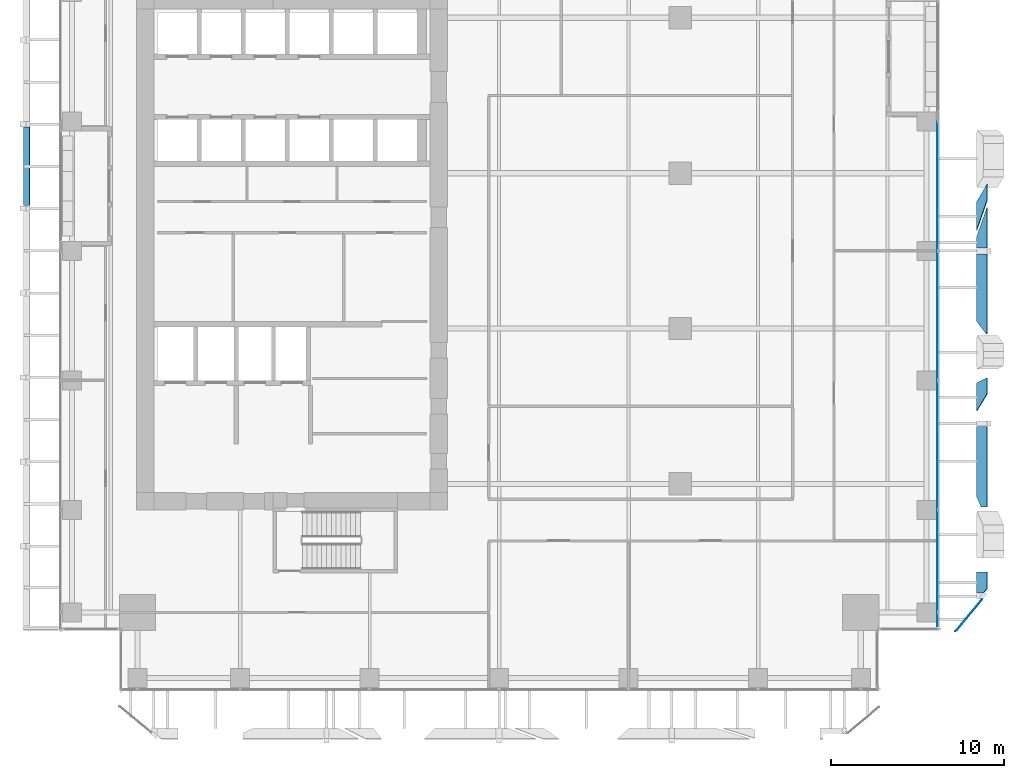
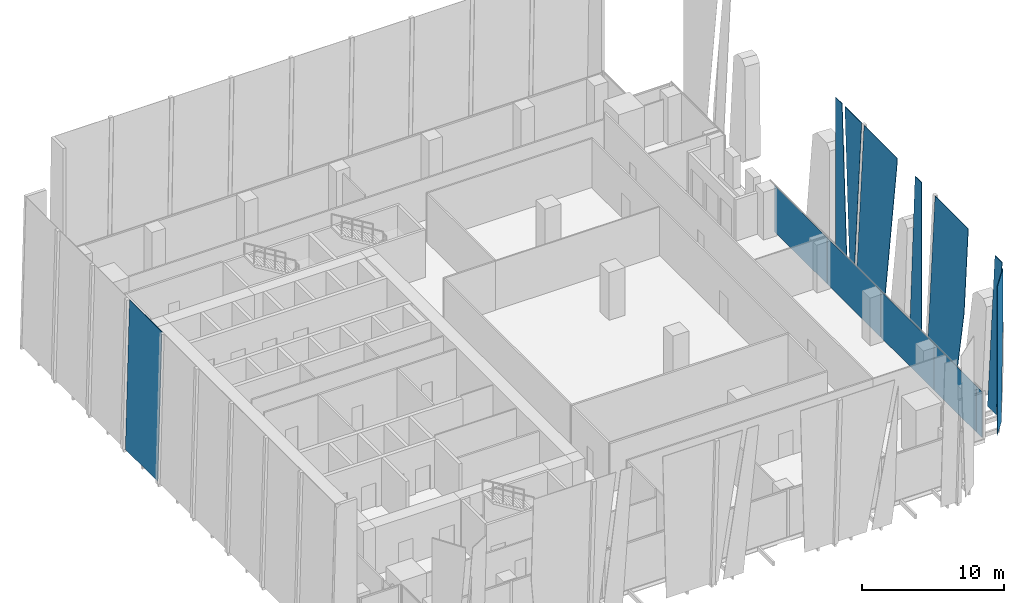
# One storey, part 24 of 35: 13 plates, 1 element without a shape of its own.
"""IFC4 building model written with IfcOpenShell, lengths in metres."""

from ifc_helpers import new_model, si_unit, direction, frame, origin, origin_2d, place, context, subcontext, project, spatial, polyline, rectangle, outline, extrude, source, transform, mapped, material, layer, layer_set, type_object, element, aggregate, save


model = new_model("IFC4")

# Units and contexts
model_context = context("Model", 3, precision=1e-05, world=origin(), true_north=direction((0.0, 1.0)))
body_context = subcontext(model_context, "Body", "Model", "MODEL_VIEW")
ifc_project = project(units=[si_unit("LENGTHUNIT", "METRE"), si_unit("AREAUNIT", "SQUARE_METRE"), si_unit("VOLUMEUNIT", "CUBIC_METRE"), si_unit("PLANEANGLEUNIT", "RADIAN"), si_unit("MASSUNIT", "GRAM", prefix="KILO")], contexts=[model_context])

# Site, building, storey
site_placement = place(None, origin())
site = spatial("IfcSite", under=ifc_project, at=site_placement, CompositionType="ELEMENT")
building_placement = place(site_placement, origin())
building = spatial("IfcBuilding", under=site, at=building_placement, Name="Khomas Fold Tower", CompositionType="ELEMENT")
storey_placement = place(building_placement, frame((0.0, 0.0, 127.89990234375)))
storey = spatial("IfcBuildingStorey", under=building, at=storey_placement, Name="L27", CompositionType="ELEMENT", Elevation=127.89990234375)

# Plates
ifc_material_1 = material(Name="Clear laminated glass", Category="glass")
ifc_layer_1 = layer(ifc_material_1, 0.0400390625)
ifc_layer_set_1 = layer_set([ifc_layer_1], Name="Clear laminated glass")
plate_type_1 = type_object("IfcPlateType", Name="SK-Clear laminated glass leaf", PredefinedType="SHEET", material=ifc_layer_set_1)
plate_1_placement = place(storey_placement, frame((54.653076171875, 8.39990234375, 0.0), z_axis=(-0.998875188287, -7.7752314e-05, 0.047416792155), x_axis=(7.7664857e-05, -0.999999996977, -3.686765e-06)))
element("IfcPlate", 1, at=plate_1_placement, inside=storey, type_object=plate_type_1, Name="OUTER SKIN glass L27 EG099-2", PredefinedType="SHEET", context=body_context, shape_type="SweptSolid", body=[
    extrude(outline(polyline([(0.0, 0.0), (1.2299804650321244, -5.209169907552692e-22), (1.2299804783288064, 8.18817331555536), (0.969482417369714, 12.764356498757895), (-1.5748206985767067e-09, 12.764356498757895), (0.0, 0.0)])), origin(), (0.0, 0.0, -1.0), 0.0400390625),
])
plate_2_placement = place(storey_placement, frame((54.955810546875, 6.804443359375, 12.75), z_axis=(-0.768212721521, 0.640194669208, 3.318128e-06), x_axis=(-2.549028e-06, 2.124248e-06, -0.999999999994)))
element("IfcPlate", 2, at=plate_2_placement, inside=storey, type_object=plate_type_1, Name="OUTER SKIN glass L27 EG098-3", PredefinedType="SHEET", context=body_context, shape_type="SweptSolid", body=[
    extrude(outline(polyline([(0.0, 0.0), (3.5063476562306977, 0.0), (12.750000000210568, 0.6855724745049236), (12.750000000031585, 2.382279946073549), (1.0177235409648881e-10, 2.382279946073549), (0.0, 0.0)])), origin(), (0.0, 0.0, -1.0), 0.0400390625),
])
plate_3_placement = place(storey_placement, frame((54.653076171875, 19.347412109375, 0.0), z_axis=(-0.998875266546, 0.0, 0.047415207295), x_axis=(0.0, -1.0, 0.0)))
element("IfcPlate", 3, at=plate_3_placement, inside=storey, type_object=plate_type_1, Name="OUTER SKIN glass L27 EG101-4", PredefinedType="SHEET", context=body_context, shape_type="SweptSolid", body=[
    extrude(outline(polyline([(0.0, 0.0), (1.63720703125, 0.0), (0.633544921875, 12.764356498773964), (-0.2978515625, 12.764356498773964), (0.0, 0.0)])), origin(), (0.0, 0.0, -1.0), 0.0400390625),
])
plate_4_placement = place(storey_placement, frame((54.653076171875, 12.77880859375, 0.0), z_axis=(-0.998875257519, 3.987423e-06, 0.047415397289), x_axis=(0.047140941902, -0.107355481146, 0.993102478229)))
element("IfcPlate", 4, at=plate_4_placement, inside=storey, type_object=plate_type_1, Name="OUTER SKIN glass L27 EG100-5", PredefinedType="SHEET", context=body_context, shape_type="SweptSolid", body=[
    extrude(outline(polyline([(0.0, 0.0), (5.67168729897001, 0.0), (12.75595478222255, 0.7649558535999821), (12.255661465789967, 5.398179663389625), (-0.4349259897779915, 4.0278560299481), (0.0, 0.0)])), origin(), (0.0, 0.0, -1.0), 0.0400390625),
])
plate_5_placement = place(storey_placement, frame((54.653076171875, 29.828369140625, 0.0), z_axis=(-0.998875266546, 0.0, 0.047415207295), x_axis=(0.0, -1.0, 0.0)))
element("IfcPlate", 5, at=plate_5_placement, inside=storey, type_object=plate_type_1, Name="OUTER SKIN glass L27 EG103-7", PredefinedType="SHEET", context=body_context, shape_type="SweptSolid", body=[
    extrude(outline(polyline([(0.0, 0.0), (1.635498046875, 0.0), (-0.100830078125, 12.764356498773962), (-1.0302734375, 12.764356498773962), (0.0, 0.0)])), origin(), (0.0, 0.0, -1.0), 0.0400390625),
])
plate_6_placement = place(storey_placement, frame((54.653076171875, 22.929931640625, 0.0), z_axis=(-0.99887525824, 2.940433e-06, 0.047415382176), x_axis=(0.047321236032, -0.062923762329, 0.996895832449)))
element("IfcPlate", 6, at=plate_6_placement, inside=storey, type_object=plate_type_1, Name="OUTER SKIN glass L27 EG102-8", PredefinedType="SHEET", context=body_context, shape_type="SweptSolid", body=[
    extrude(outline(polyline([(0.0, 0.0), (12.078263243712826, -2.220446049250313e-16), (12.786884514180974, 0.0446776525487812), (12.493649949888221, 4.6955990413200785), (-0.24541189043256054, 3.892417706706909), (0.0, 0.0)])), origin(), (0.0, 0.0, -1.0), 0.0400390625),
])
plate_7_placement = place(storey_placement, frame((54.653076171875, 27.789306640625, 0.0), z_axis=(-0.998875266546, 0.0, 0.047415207295), x_axis=(0.0, -1.0, 0.0)))
element("IfcPlate", 7, at=plate_7_placement, inside=storey, type_object=plate_type_1, Name="OUTER SKIN glass L27 EG103-10", PredefinedType="SHEET", context=body_context, shape_type="SweptSolid", body=[
    extrude(outline(polyline([(0.0, 0.0), (0.619384765625, 0.0), (0.619384765625, 12.764356498773964), (-1.736328125, 12.764356498773964), (0.0, 0.0)])), origin(), (0.0, 0.0, -1.0), 0.0400390625),
])
plate_8_placement = place(storey_placement, frame((-0.548583984375, 29.614501953125, 0.001220703125), z_axis=(-0.999657592188, 0.0, 0.026166741891), x_axis=(0.0, 1.0, 0.0)))
element("IfcPlate", 8, at=plate_8_placement, inside=storey, type_object=plate_type_1, Name="OUTER SKIN glass L27 W11", PredefinedType="SHEET", context=body_context, shape_type="SweptSolid", body=[
    extrude(outline(polyline([(0.0, 0.0), (4.548828125, 0.0), (4.548828125, -12.75436719496662), (0.0, -12.75436719496662), (0.0, 0.0)])), origin(), (0.0, 0.0, -1.0), 0.0400390625),
])

# Curtain wall, plates
ifc_material_2 = material(Name="Aluminium framed double glazing", Category="aluminium")
curtain_wall_type = type_object("IfcCurtainWallType", Name="SK-Unitised clear-glass wall, growing floors CW1", PredefinedType="NOTDEFINED", material=ifc_material_2)
curtain_wall_placement = place(storey_placement, origin())
curtain_wall = element("IfcCurtainWall", 9, at=curtain_wall_placement, inside=storey, type_object=curtain_wall_type, Name="CW1 run L27 03-0", PredefinedType="NOTDEFINED")
ifc_material_3 = material(Name="Clear double glazed unit")
ifc_layer_2 = layer(ifc_material_3, 0.031982421875)
ifc_layer_set_2 = layer_set([ifc_layer_2], Name="Clear double glazed unit")
plate_type_2 = type_object("IfcPlateType", Name="SK-Unitised clear-glass wall, growing floors glass panel CW1-P", PredefinedType="CURTAIN_PANEL", material=ifc_layer_set_2)
shared_shape_1 = source(origin(), body_context, "Body", "SweptSolid", [
    extrude(rectangle(XDim=0.760009765625, YDim=0.031982421875, at=origin_2d()), origin(), (0.0, 0.0, 1.0), 3.97998046875),
])
plate_9_placement = place(storey_placement, frame((52.39990234375, 5.639892578125, 0.0), z_axis=(0.0, 0.0, 1.0), x_axis=(0.0, 1.0, 0.0)))
plate_9 = element("IfcPlate", 10, at=plate_9_placement, type_object=plate_type_2, Name="CW1 glass panel 1", PredefinedType="CURTAIN_PANEL", context=body_context, shape_type="MappedRepresentation", body=[
    mapped(shared_shape_1, transform((0.0, 0.0, 0.0))),
])
shared_shape_2 = source(origin(), body_context, "Body", "SweptSolid", [
    extrude(rectangle(XDim=5.889892578125, YDim=0.031982421875, at=origin_2d()), origin(), (0.0, 0.0, 1.0), 3.97998046875),
])
plate_10_placement = place(storey_placement, frame((52.39990234375, 9.02490234375, 0.0), z_axis=(0.0, 0.0, 1.0), x_axis=(0.0, 1.0, 0.0)))
plate_10 = element("IfcPlate", 11, at=plate_10_placement, type_object=plate_type_2, Name="CW1 glass panel 2", PredefinedType="CURTAIN_PANEL", context=body_context, shape_type="MappedRepresentation", body=[
    mapped(shared_shape_2, transform((0.0, 0.0, 0.0))),
])
shared_shape_3 = source(origin(), body_context, "Body", "SweptSolid", [
    extrude(rectangle(XDim=7.43994140625, YDim=0.031982421875, at=origin_2d()), origin(), (0.0, 0.0, 1.0), 3.97998046875),
])
plate_11_placement = place(storey_placement, frame((52.39990234375, 15.75, 0.0), z_axis=(0.0, 0.0, 1.0), x_axis=(0.0, 1.0, 0.0)))
plate_11 = element("IfcPlate", 12, at=plate_11_placement, type_object=plate_type_2, Name="CW1 glass panel 3", PredefinedType="CURTAIN_PANEL", context=body_context, shape_type="MappedRepresentation", body=[
    mapped(shared_shape_3, transform((0.0, 0.0, 0.0))),
])
plate_12_placement = place(storey_placement, frame((52.39990234375, 23.25, 0.0), z_axis=(0.0, 0.0, 1.0), x_axis=(0.0, 1.0, 0.0)))
plate_12 = element("IfcPlate", 13, at=plate_12_placement, type_object=plate_type_2, Name="CW1 glass panel 4", PredefinedType="CURTAIN_PANEL", context=body_context, shape_type="MappedRepresentation", body=[
    mapped(shared_shape_3, transform((0.0, 0.0, 0.0))),
])
plate_13_placement = place(storey_placement, frame((52.39990234375, 30.75, 0.0), z_axis=(0.0, 0.0, 1.0), x_axis=(0.0, 1.0, 0.0)))
plate_13 = element("IfcPlate", 14, at=plate_13_placement, type_object=plate_type_2, Name="CW1 glass panel 5", PredefinedType="CURTAIN_PANEL", context=body_context, shape_type="MappedRepresentation", body=[
    mapped(shared_shape_3, transform((0.0, 0.0, 0.0))),
])
aggregate(curtain_wall, [plate_9, plate_10, plate_11, plate_12, plate_13])

save(model, "model.ifc")
